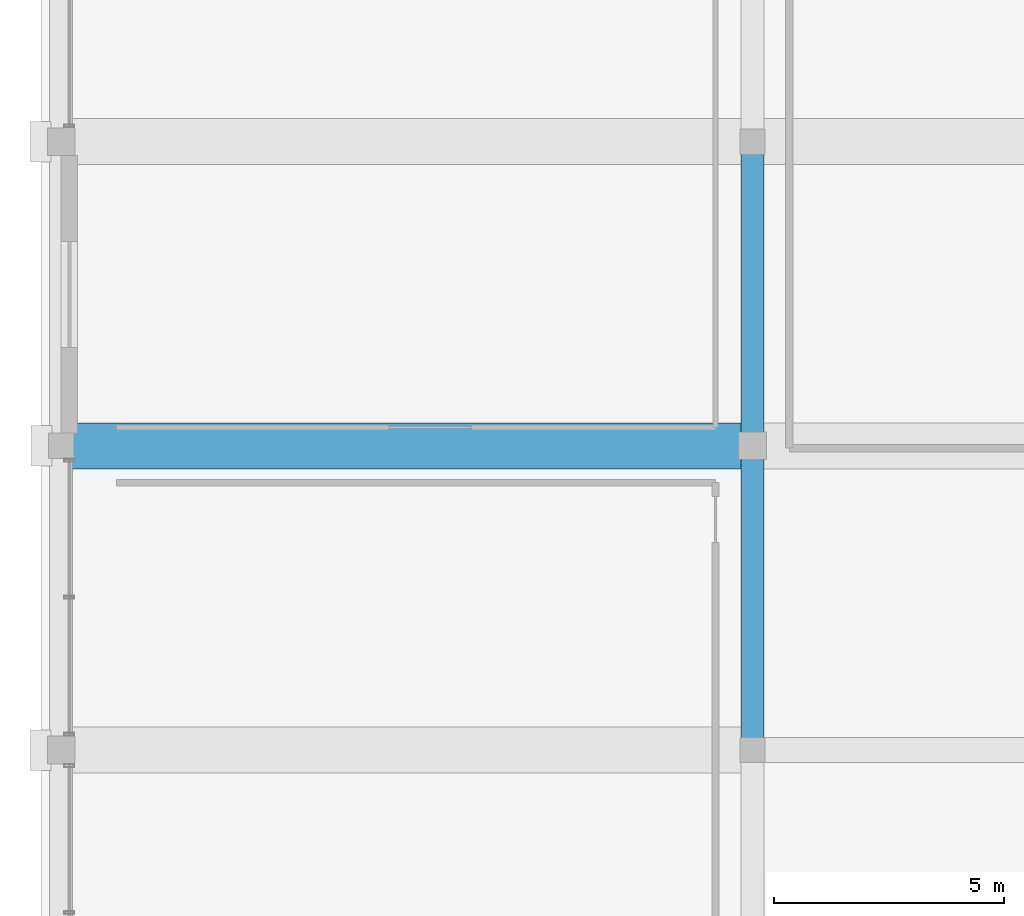
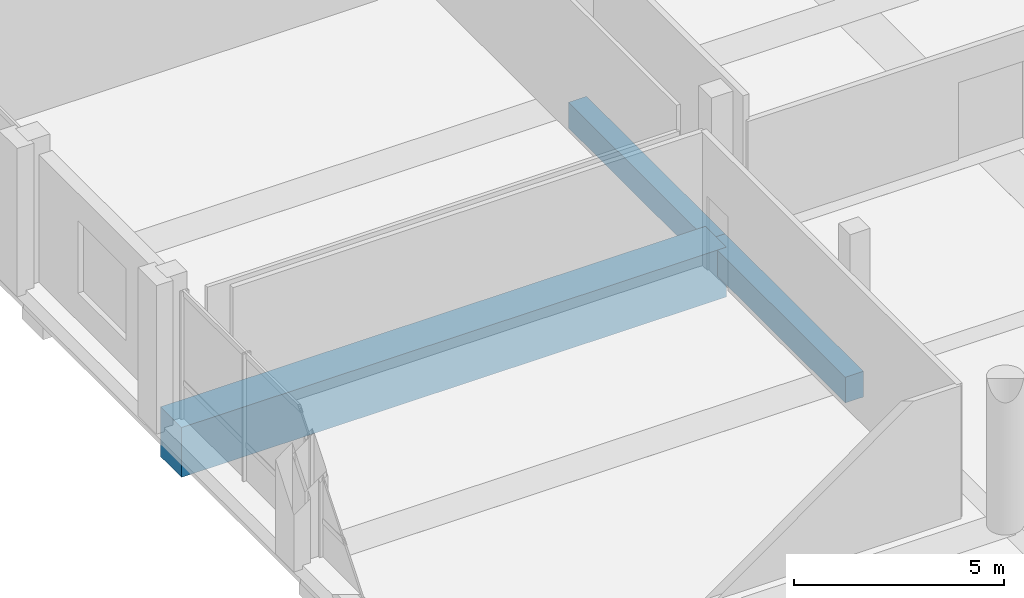
# One storey, part 18 of 68: 3 beams.
"""IFC4 building model written with IfcOpenShell, lengths in metres."""

from ifc_helpers import new_model, si_unit, direction, frame, origin, origin_2d, place, context, subcontext, project, spatial, rectangle, extrude, material, material_profile, profile_set, type_object, element, save


model = new_model("IFC4")

# Units and contexts
model_context = context("Model", 3, precision=1e-05, world=origin(), true_north=direction((0.0, 1.0)))
body_context = subcontext(model_context, "Body", "Model", "MODEL_VIEW")
ifc_project = project(units=[si_unit("LENGTHUNIT", "METRE"), si_unit("AREAUNIT", "SQUARE_METRE"), si_unit("VOLUMEUNIT", "CUBIC_METRE"), si_unit("PLANEANGLEUNIT", "RADIAN"), si_unit("MASSUNIT", "GRAM", prefix="KILO")], contexts=[model_context])

# Site, building, storey
site_placement = place(None, origin())
site = spatial("IfcSite", under=ifc_project, at=site_placement, CompositionType="ELEMENT")
building_placement = place(site_placement, origin())
building = spatial("IfcBuilding", under=site, at=building_placement, Name="Akrevak Sports Hall", CompositionType="ELEMENT")
storey_placement = place(building_placement, frame((0.0, 0.0, 9.39990234375)))
storey = spatial("IfcBuildingStorey", under=building, at=storey_placement, Name="L02", CompositionType="ELEMENT", Elevation=9.39990234375)

# Beams
ifc_material_1 = material(Name="Concrete C50/60", Category="concrete")
ifc_material_profile_1 = material_profile(ifc_material_1, rectangle(XDim=1.0, YDim=1.449951171875, at=origin_2d()), Name="BM 1000x1450", Category="concrete")
ifc_profile_set_1 = profile_set([ifc_material_profile_1], Name="Concrete C50/60")
beam_type_1 = type_object("IfcBeamType", Name="STR-BM-LG1000x1450", PredefinedType="BEAM", material=ifc_profile_set_1)
beam_1_placement = place(storey_placement, frame((0.0, 35.39990234375, -0.724853515625), z_axis=(1.0, 0.0, 0.0), x_axis=(0.0, 1.0, 0.0)))
element("IfcBeam", 1, at=beam_1_placement, inside=storey, type_object=beam_type_1, Name="Girder F/1-3 (L02)", PredefinedType="BEAM", context=body_context, shape_type="SweptSolid", body=[
    extrude(rectangle(XDim=1.0, YDim=1.449951171875, at=origin_2d()), origin(), (0.0, 0.0, 1.0), 15.0),
])
ifc_material_2 = material(Name="Concrete C40/50", Category="concrete")
ifc_material_profile_2 = material_profile(ifc_material_2, rectangle(XDim=0.5, YDim=0.75, at=origin_2d()), Name="BM 500x750", Category="concrete")
ifc_profile_set_2 = profile_set([ifc_material_profile_2], Name="Concrete C40/50")
beam_type_2 = type_object("IfcBeamType", Name="STR-BM-RC500x750", PredefinedType="BEAM", material=ifc_profile_set_2)
beam_2_placement = place(storey_placement, frame((15.0, 28.800048828125, -0.375), z_axis=(0.0, 1.0, 0.0), x_axis=(-1.0, 0.0, 0.0)))
element("IfcBeam", 2, at=beam_2_placement, inside=storey, type_object=beam_type_2, Name="Girder 3/E-F (L02)", PredefinedType="BEAM", context=body_context, shape_type="SweptSolid", body=[
    extrude(rectangle(XDim=0.5, YDim=0.75, at=origin_2d()), origin(), (0.0, 0.0, 1.0), 6.599853515625),
])
beam_3_placement = place(storey_placement, frame((15.0, 35.39990234375, -0.375), z_axis=(0.0, 1.0, 0.0), x_axis=(-1.0, 0.0, 0.0)))
element("IfcBeam", 3, at=beam_3_placement, inside=storey, type_object=beam_type_2, Name="Girder 3/F-G (L02)", PredefinedType="BEAM", context=body_context, shape_type="SweptSolid", body=[
    extrude(rectangle(XDim=0.5, YDim=0.75, at=origin_2d()), origin(), (0.0, 0.0, 1.0), 6.60009765625),
])

save(model, "model.ifc")
